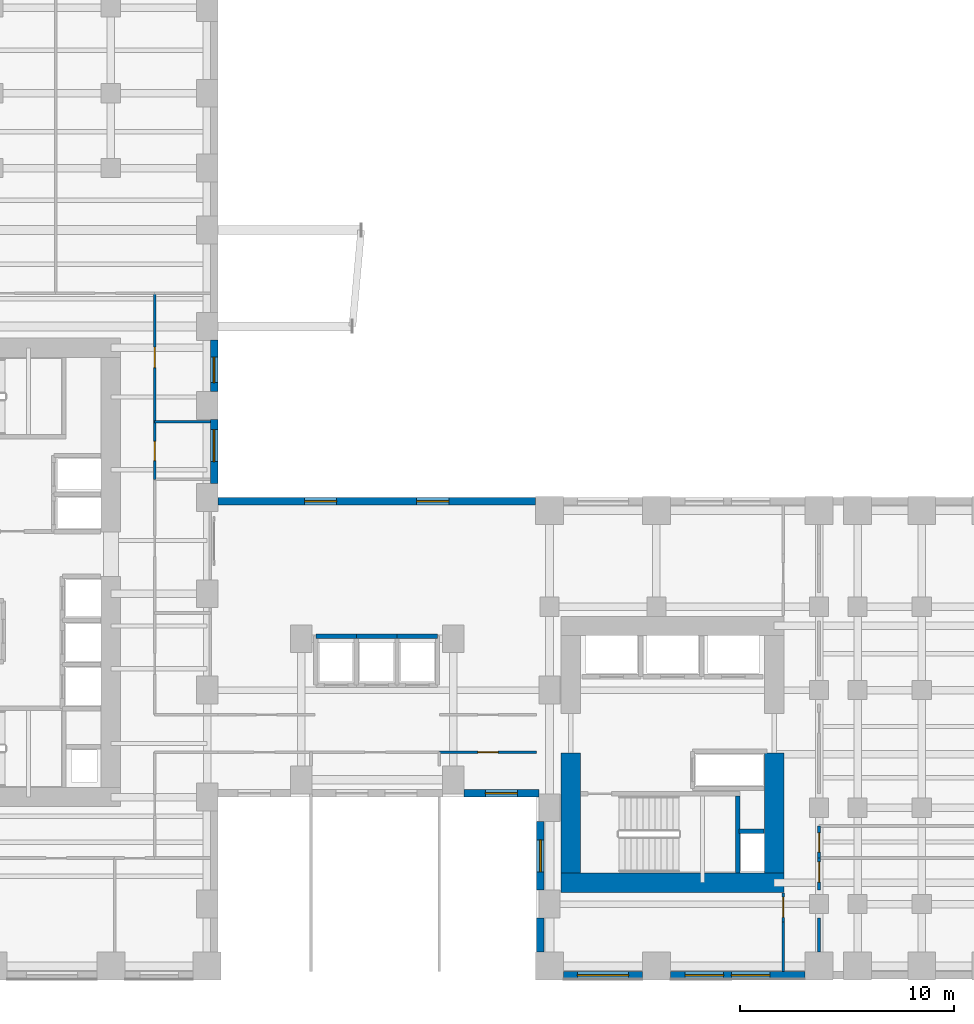
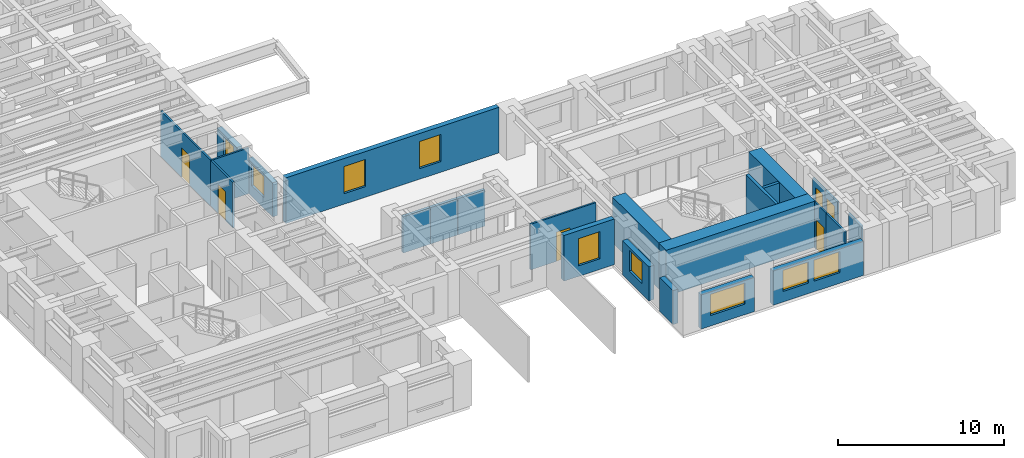
# One storey, part 9 of 14: 25 walls, 9 windows, 6 doors, 15 openings.
"""IFC4 building model written with IfcOpenShell, lengths in metres."""

import ifcopenshell
import ifcopenshell.guid

model = None  # the IFC model being written
_history = None  # IfcOwnerHistory: only IFC2X3 demands one
_inside = {}  # id of a spatial element -> (the spatial element, [elements in it])
_under = {}  # id of a project, library or spatial element -> (it, [spatial elements below it])
_declared = {}  # id of a project -> (the project, [libraries it declares])
_typed = {}  # id of a type object -> (the type object, [elements of that type])
_made_of = {}  # id of a material, layer set ... -> (it, [elements and type objects made of it])


def new_model(schema):
    """Start an empty IFC model of exactly this schema.

    Asked for "IFC4X3", IfcOpenShell would pick the latest addendum, in which some entities
    have other attributes; the version numbers below select the first issue.
    IFC2X3 requires an IfcOwnerHistory on every rooted entity: one is made here for all.
    """
    global model, _history
    if schema == "IFC4X3":
        model = ifcopenshell.file(schema_version=(4, 3, 0, 0))
    else:
        model = ifcopenshell.file(schema=schema)
    _inside.clear()
    _under.clear()
    _declared.clear()
    _typed.clear()
    _made_of.clear()
    _history = None
    if model.schema == "IFC2X3":
        org = make("IfcOrganization", Name="unknown")
        user = make(
            "IfcPersonAndOrganization",
            ThePerson=make("IfcPerson", FamilyName="unknown"),
            TheOrganization=org,
        )
        app = make(
            "IfcApplication",
            ApplicationDeveloper=org,
            Version="unknown",
            ApplicationFullName="unknown",
            ApplicationIdentifier="unknown",
        )
        _history = make(
            "IfcOwnerHistory",
            OwningUser=user,
            OwningApplication=app,
            ChangeAction="ADDED",
            CreationDate=0,
        )
    return model


def make(cls, **values):
    """One entity of the class cls with the attributes given. An attribute that is None is left unset."""
    return model.create_entity(
        cls, **{name: value for name, value in values.items() if value is not None}
    )


def rooted(cls, **values):
    """An entity with a GlobalId (a new one), such as an element, a storey or a relation."""
    return make(cls, GlobalId=ifcopenshell.guid.new(), OwnerHistory=_history, **values)


def si_unit(unit_type, name, prefix=None):
    """IfcSIUnit, for example si_unit("LENGTHUNIT", "METRE", prefix="MILLI")."""
    return make("IfcSIUnit", UnitType=unit_type, Prefix=prefix, Name=name)


def assignment(units):
    """IfcUnitAssignment: the units of a project."""
    return None if units is None else make("IfcUnitAssignment", Units=units)


def point(xyz):
    """IfcCartesianPoint."""
    return None if xyz is None else make("IfcCartesianPoint", Coordinates=xyz)


def direction(xyz):
    """IfcDirection."""
    return None if xyz is None else make("IfcDirection", DirectionRatios=xyz)


def frame(location, z_axis=None, x_axis=None):
    """IfcAxis2Placement3D, a coordinate frame: its origin and axes. An axis left out is left unset."""
    return make(
        "IfcAxis2Placement3D",
        Location=point(location),
        Axis=direction(z_axis),
        RefDirection=direction(x_axis),
    )


def frame_2d(location, x_axis=None):
    """IfcAxis2Placement2D, a coordinate frame in the plane: its origin and x axis."""
    return make(
        "IfcAxis2Placement2D", Location=point(location), RefDirection=direction(x_axis)
    )


def origin():
    """The frame at (0, 0, 0) with its axes left unset."""
    return frame((0.0, 0.0, 0.0))


def place(relative_to, where):
    """IfcLocalPlacement: puts the frame where relative to a parent placement (None: the world)."""
    return make(
        "IfcLocalPlacement", PlacementRelTo=relative_to, RelativePlacement=where
    )


def context(
    kind, dimensions, precision=None, world=None, true_north=None, identifier=None
):
    """IfcGeometricRepresentationContext, for example the 3D "Model" context."""
    return make(
        "IfcGeometricRepresentationContext",
        ContextIdentifier=identifier,
        ContextType=kind,
        CoordinateSpaceDimension=dimensions,
        Precision=precision,
        WorldCoordinateSystem=world,
        TrueNorth=true_north,
    )


def subcontext(parent, identifier, kind, view, scale=None):
    """IfcGeometricRepresentationSubContext, for example "Body" below "Model"."""
    return make(
        "IfcGeometricRepresentationSubContext",
        ContextIdentifier=identifier,
        ContextType=kind,
        ParentContext=parent,
        TargetScale=scale,
        TargetView=view,
    )


def project(units=None, contexts=None):
    """IfcProject with its units and contexts."""
    return rooted(
        "IfcProject",
        Name="project",
        RepresentationContexts=contexts,
        UnitsInContext=assignment(units),
    )


def spatial(cls, under=None, at=None, **own):
    """A site, building, storey or space (cls), placed at a placement, below another one or the project."""
    s = rooted(cls, ObjectPlacement=at, **own)
    if under is not None:
        _under.setdefault(under.id(), (under, []))[1].append(s)
    return s


def profile(cls, at=None, kind="AREA", **sizes):
    """A parametric profile (cls). Its sizes go by their IFC names, for example OverallWidth=200.0."""
    return make(cls, ProfileType=kind, Position=at, **sizes)


def rectangle(**sizes):
    """IfcRectangleProfileDef."""
    return profile("IfcRectangleProfileDef", **sizes)


def extrude(swept, where, along, depth):
    """IfcExtrudedAreaSolid: the profile swept, set in the frame where, extruded along a direction by depth."""
    return make(
        "IfcExtrudedAreaSolid",
        SweptArea=swept,
        Position=where,
        ExtrudedDirection=direction(along),
        Depth=depth,
    )


def shape(context_of_items, identifier, shape_type, items):
    """IfcShapeRepresentation: the items that make up one representation, for example the "Body"."""
    return make(
        "IfcShapeRepresentation",
        ContextOfItems=context_of_items,
        RepresentationIdentifier=identifier,
        RepresentationType=shape_type,
        Items=items,
    )


def source(mapping_origin, context_of_items, identifier, shape_type, items):
    """IfcRepresentationMap: a shape defined once, which mapped items show again and again."""
    return make(
        "IfcRepresentationMap",
        MappingOrigin=mapping_origin,
        MappedRepresentation=shape(context_of_items, identifier, shape_type, items),
    )


def transform(
    local_origin,
    x_axis=None,
    y_axis=None,
    z_axis=None,
    scale=None,
    scale2=None,
    scale3=None,
    uniform=True,
):
    """IfcCartesianTransformationOperator3D, or its non-uniform kind. x_axis, y_axis, z_axis: its Axis1, 2, 3."""
    if uniform:
        return make(
            "IfcCartesianTransformationOperator3D",
            Axis1=direction(x_axis),
            Axis2=direction(y_axis),
            LocalOrigin=point(local_origin),
            Scale=scale,
            Axis3=direction(z_axis),
        )
    return make(
        "IfcCartesianTransformationOperator3DnonUniform",
        Axis1=direction(x_axis),
        Axis2=direction(y_axis),
        LocalOrigin=point(local_origin),
        Scale=scale,
        Axis3=direction(z_axis),
        Scale2=scale2,
        Scale3=scale3,
    )


def mapped(mapping_source, mapping_target):
    """IfcMappedItem: shows the shape of a source again, moved by a transform."""
    return make(
        "IfcMappedItem", MappingSource=mapping_source, MappingTarget=mapping_target
    )


def material(Name=None, Category=None):
    """IfcMaterial."""
    return make("IfcMaterial", Name=Name, Category=Category)


def layer(
    of_material, thickness, ventilated=None, Name=None, Category=None, Priority=None
):
    """IfcMaterialLayer: one layer of a wall or slab, of a material (None: an air gap)."""
    return make(
        "IfcMaterialLayer",
        Material=of_material,
        LayerThickness=thickness,
        IsVentilated=ventilated,
        Name=Name,
        Category=Category,
        Priority=Priority,
    )


def layer_set(layers, Name=None):
    """IfcMaterialLayerSet."""
    return make("IfcMaterialLayerSet", MaterialLayers=layers, LayerSetName=Name)


def made_of(thing, what):
    """Note that an element or type object is made of a material, layer set ...; save() writes the relation."""
    if what is not None:
        _made_of.setdefault(what.id(), (what, []))[1].append(thing)
    return thing


def type_object(cls, material=None, **own):
    """A type object (cls), such as IfcWallType, which elements share."""
    return made_of(rooted(cls, **own), material)


def element(
    cls,
    number,
    at=None,
    inside=None,
    cuts=None,
    type_object=None,
    material=None,
    context=None,
    identifier="Body",
    shape_type=None,
    held_by="IfcProductDefinitionShape",
    body=None,
    shapes=None,
    **own,
):
    """One element of the class cls, such as IfcWall. Its Tag is "e" and its number.

    at: its placement. inside: the storey or other place that contains it. cuts: it is an
    opening in that element (IfcRelVoidsElement). A single representation is given by context,
    identifier, shape_type and body (its items); several are given by shapes. held_by: the class
    of the entity that holds the representations. save() writes the other relations.
    """
    e = rooted(cls, Tag="e%d" % number, ObjectPlacement=at, **own)
    if body is not None:
        shapes = [shape(context, identifier, shape_type, body)]
    if shapes is not None:
        e.Representation = make(held_by, Representations=shapes)
    if inside is not None:
        _inside.setdefault(inside.id(), (inside, []))[1].append(e)
    if cuts is not None:
        rooted(
            "IfcRelVoidsElement", RelatingBuildingElement=cuts, RelatedOpeningElement=e
        )
    if type_object is not None:
        _typed.setdefault(type_object.id(), (type_object, []))[1].append(e)
    return made_of(e, material)


def fill(opening, filler):
    """IfcRelFillsElement: the door or window that sits in an opening."""
    return rooted(
        "IfcRelFillsElement",
        RelatingOpeningElement=opening,
        RelatedBuildingElement=filler,
    )


def aggregate(whole, parts):
    """IfcRelAggregates: a whole, such as a stair, and the parts it consists of."""
    return rooted("IfcRelAggregates", RelatingObject=whole, RelatedObjects=parts)


def save(model, path):
    """Write the relations noted so far, then the file.

    IfcRelAggregates (storeys below a building ...), IfcRelContainedInSpatialStructure (elements
    in a storey), IfcRelDefinesByType, IfcRelAssociatesMaterial and IfcRelDeclares: one each for
    every whole, place, type object, material and project.
    """
    for whole, parts in _under.values():
        aggregate(whole, parts)
    for where, things in _inside.values():
        rooted(
            "IfcRelContainedInSpatialStructure",
            RelatedElements=things,
            RelatingStructure=where,
        )
    for kind, things in _typed.values():
        rooted("IfcRelDefinesByType", RelatedObjects=things, RelatingType=kind)
    for what, things in _made_of.values():
        rooted("IfcRelAssociatesMaterial", RelatedObjects=things, RelatingMaterial=what)
    for by, libraries in _declared.values():
        rooted("IfcRelDeclares", RelatingContext=by, RelatedDefinitions=libraries)
    model.write(path)


model = new_model("IFC4")

# Units and contexts
model_context = context("Model", 3, precision=1e-05, world=origin(), true_north=direction((0.0, 1.0)))
body_context = subcontext(model_context, "Body", "Model", "MODEL_VIEW")
ifc_project = project(units=[si_unit("LENGTHUNIT", "METRE"), si_unit("AREAUNIT", "SQUARE_METRE"), si_unit("VOLUMEUNIT", "CUBIC_METRE"), si_unit("PLANEANGLEUNIT", "RADIAN"), si_unit("MASSUNIT", "GRAM", prefix="KILO")], contexts=[model_context])

# Site, building, storey
site_placement = place(None, origin())
site = spatial("IfcSite", under=ifc_project, at=site_placement, CompositionType="ELEMENT")
building_placement = place(site_placement, origin())
building = spatial("IfcBuilding", under=site, at=building_placement, Name="Kharzan Plaza Tower", CompositionType="ELEMENT")
storey_placement = place(building_placement, frame((0.0, 0.0, 36.89990234375)))
storey = spatial("IfcBuildingStorey", under=building, at=storey_placement, Name="L09", CompositionType="ELEMENT", Elevation=36.89990234375)

# Wall, opening, window
ifc_material_1 = material(Name="Concrete C40/50", Category="concrete")
ifc_layer_1 = layer(ifc_material_1, 0.35009765625)
ifc_layer_set_1 = layer_set([ifc_layer_1], Name="Concrete C40/50")
wall_type_1 = type_object("IfcWallType", Name="WL-EXT-MAS-Z1", PredefinedType="SOLIDWALL", material=ifc_layer_set_1)
wall_1_placement = place(storey_placement, frame((30.998046875, 8.675048828125, 0.0), z_axis=(0.0, 0.0, 1.0), x_axis=(1.0, 0.0, 0.0)))
wall_1 = element("IfcWall", 1, at=wall_1_placement, inside=storey, type_object=wall_type_1, Name="L09 Masonry-Frame Exterior Wall 30", PredefinedType="SOLIDWALL", context=body_context, shape_type="SweptSolid", body=[
    extrude(rectangle(XDim=3.50390625, YDim=0.35009765625, at=frame_2d((1.751953125, 0.0))), origin(), (0.0, 0.0, 1.0), 3.364990234375),
])
opening_1_placement = place(wall_1_placement, frame((1.001953125, 0.0, 0.780029296875)))
opening_1 = element("IfcOpeningElement", 2, at=opening_1_placement, cuts=wall_1, Name="Opening W5", PredefinedType="OPENING", context=body_context, shape_type="SweptSolid", body=[
    extrude(rectangle(XDim=1.5, YDim=2.0, at=frame_2d((0.75, 1.0))), frame((0.0, 0.18505859375, 0.0), z_axis=(0.0, -1.0, 0.0), x_axis=(1.0, 0.0, 0.0)), (0.0, 0.0, 1.0), 0.3701171875),
])
ifc_material_2 = material(Name="Low-E Double Glazing", Category="glass")
window_type_1 = type_object("IfcWindowType", Name="WN-SLT-1500x2000", PartitioningType="SINGLE_PANEL", PredefinedType="WINDOW", material=ifc_material_2)
shared_shape_1 = source(origin(), body_context, "Body", "SweptSolid", [
    extrude(rectangle(XDim=1.5, YDim=2.0, at=frame_2d((0.75, 1.0))), frame((0.0, 0.030029296875, 0.0), z_axis=(0.0, -1.0, 0.0), x_axis=(1.0, 0.0, 0.0)), (0.0, 0.0, 1.0), 0.06005859375),
])
window_1_placement = place(opening_1_placement, origin())
window_1 = element("IfcWindow", 3, at=window_1_placement, inside=storey, type_object=window_type_1, Name="L09 Recessed Solar-Control Window 30-1", OverallHeight=2.0, OverallWidth=1.5, PartitioningType="SINGLE_PANEL", PredefinedType="WINDOW", context=body_context, shape_type="MappedRepresentation", body=[
    mapped(shared_shape_1, transform((0.0, 0.0, 0.0), x_axis=(1.0, 0.0, 0.0), y_axis=(0.0, 1.0, 0.0), z_axis=(0.0, 0.0, 1.0))),
])
fill(opening_1, window_1)

wall_2_placement = place(storey_placement, frame((34.574951171875, 7.35205078125, 0.0), z_axis=(0.0, 0.0, 1.0), x_axis=(0.0, -1.0, 0.0)))
wall_2 = element("IfcWall", 4, at=wall_2_placement, inside=storey, type_object=wall_type_1, Name="L09 Masonry-Frame Exterior Wall 31", PredefinedType="SOLIDWALL", context=body_context, shape_type="SweptSolid", body=[
    extrude(rectangle(XDim=3.2041015625, YDim=0.35009765625, at=frame_2d((1.60205078125, 0.0))), origin(), (0.0, 0.0, 1.0), 2.510009765625),
])
opening_2_placement = place(wall_2_placement, frame((0.85205078125, 0.0, 0.780029296875)))
opening_2 = element("IfcOpeningElement", 5, at=opening_2_placement, cuts=wall_2, Name="Opening W5", PredefinedType="OPENING", context=body_context, shape_type="SweptSolid", body=[
    extrude(rectangle(XDim=1.5, YDim=1.550048828125, at=frame_2d((0.75, 0.77490234375))), frame((0.0, 0.18505859375, 0.0), z_axis=(0.0, -1.0, 0.0), x_axis=(1.0, 0.0, 0.0)), (0.0, 0.0, 1.0), 0.3701171875),
])
shared_shape_2 = source(origin(), body_context, "Body", "SweptSolid", [
    extrude(rectangle(XDim=1.5, YDim=1.550048828125, at=frame_2d((0.75, 0.77490234375))), frame((0.0, 0.030029296875, 0.0), z_axis=(0.0, -1.0, 0.0), x_axis=(1.0, 0.0, 0.0)), (0.0, 0.0, 1.0), 0.06005859375),
])
window_2_placement = place(opening_2_placement, origin())
window_2 = element("IfcWindow", 6, at=window_2_placement, inside=storey, type_object=window_type_1, Name="L09 Recessed Solar-Control Window 31-1", OverallHeight=1.550048828125, OverallWidth=1.5, PartitioningType="SINGLE_PANEL", PredefinedType="WINDOW", context=body_context, shape_type="MappedRepresentation", body=[
    mapped(shared_shape_2, transform((0.0, 0.0, 0.0), x_axis=(1.0, 0.0, 0.0), y_axis=(0.0, 1.0, 0.0), z_axis=(0.0, 0.0, 1.0))),
])
fill(opening_2, window_2)

wall_3_placement = place(storey_placement, frame((35.64794921875, 0.175048828125, 0.0), z_axis=(0.0, 0.0, 1.0), x_axis=(1.0, 0.0, 0.0)))
wall_3 = element("IfcWall", 7, at=wall_3_placement, inside=storey, type_object=wall_type_1, Name="L09 Masonry-Frame Exterior Wall 33", PredefinedType="SOLIDWALL", context=body_context, shape_type="SweptSolid", body=[
    extrude(rectangle(XDim=3.7041015625, YDim=0.35009765625, at=frame_2d((1.85205078125, 0.0))), origin(), (0.0, 0.0, 1.0), 2.510009765625),
])
opening_3_placement = place(wall_3_placement, frame((0.652099609375, 0.0, 0.780029296875)))
opening_3 = element("IfcOpeningElement", 8, at=opening_3_placement, cuts=wall_3, Name="Opening W2", PredefinedType="OPENING", context=body_context, shape_type="SweptSolid", body=[
    extrude(rectangle(XDim=2.39990234375, YDim=1.550048828125, at=frame_2d((1.199951171875, 0.77490234375))), frame((0.0, 0.18505859375, 0.0), z_axis=(0.0, -1.0, 0.0), x_axis=(1.0, 0.0, 0.0)), (0.0, 0.0, 1.0), 0.3701171875),
])
window_type_2 = type_object("IfcWindowType", Name="WN-REC-2400x2100", PartitioningType="SINGLE_PANEL", PredefinedType="WINDOW", material=ifc_material_2)
shared_shape_3 = source(origin(), body_context, "Body", "SweptSolid", [
    extrude(rectangle(XDim=2.39990234375, YDim=1.550048828125, at=frame_2d((1.199951171875, 0.77490234375))), frame((0.0, 0.030029296875, 0.0), z_axis=(0.0, -1.0, 0.0), x_axis=(1.0, 0.0, 0.0)), (0.0, 0.0, 1.0), 0.06005859375),
])
window_3_placement = place(opening_3_placement, origin())
window_3 = element("IfcWindow", 9, at=window_3_placement, inside=storey, type_object=window_type_2, Name="L09 Wide Recessed Solar-Control Window 33-1", OverallHeight=1.550048828125, OverallWidth=2.39990234375, PartitioningType="SINGLE_PANEL", PredefinedType="WINDOW", context=body_context, shape_type="MappedRepresentation", body=[
    mapped(shared_shape_3, transform((0.0, 0.0, 0.0), x_axis=(1.0, 0.0, 0.0), y_axis=(0.0, 1.0, 0.0), z_axis=(0.0, 0.0, 1.0))),
])
fill(opening_3, window_3)

# Wall, openings, windows
wall_4_placement = place(storey_placement, frame((40.64794921875, 0.175048828125, 0.0), z_axis=(0.0, 0.0, 1.0), x_axis=(1.0, 0.0, 0.0)))
wall_4 = element("IfcWall", 10, at=wall_4_placement, inside=storey, type_object=wall_type_1, Name="L09 Masonry-Frame Exterior Wall 34", PredefinedType="SOLIDWALL", context=body_context, shape_type="SweptSolid", body=[
    extrude(rectangle(XDim=6.303955078125, YDim=0.35009765625, at=frame_2d((3.15185546875, 0.0))), origin(), (0.0, 0.0, 1.0), 2.510009765625),
])
opening_4_placement = place(wall_4_placement, frame((0.687255859375, 0.0, 0.780029296875)))
opening_4 = element("IfcOpeningElement", 11, at=opening_4_placement, cuts=wall_4, Name="Opening W1", PredefinedType="OPENING", context=body_context, shape_type="SweptSolid", body=[
    extrude(rectangle(XDim=1.800048828125, YDim=1.550048828125, at=frame_2d((0.89990234375, 0.77490234375))), frame((0.0, 0.18505859375, 0.0), z_axis=(0.0, -1.0, 0.0), x_axis=(1.0, 0.0, 0.0)), (0.0, 0.0, 1.0), 0.3701171875),
])
opening_5_placement = place(wall_4_placement, frame((2.854736328125, 0.0, 0.780029296875)))
opening_5 = element("IfcOpeningElement", 12, at=opening_5_placement, cuts=wall_4, Name="Opening W1", PredefinedType="OPENING", context=body_context, shape_type="SweptSolid", body=[
    extrude(rectangle(XDim=1.800048828125, YDim=1.550048828125, at=frame_2d((0.89990234375, 0.77490234375))), frame((0.0, 0.18505859375, 0.0), z_axis=(0.0, -1.0, 0.0), x_axis=(1.0, 0.0, 0.0)), (0.0, 0.0, 1.0), 0.3701171875),
])
window_type_3 = type_object("IfcWindowType", Name="WN-REC-1800x2100", PartitioningType="SINGLE_PANEL", PredefinedType="WINDOW", material=ifc_material_2)
shared_shape_4 = source(origin(), body_context, "Body", "SweptSolid", [
    extrude(rectangle(XDim=1.800048828125, YDim=1.550048828125, at=frame_2d((0.89990234375, 0.77490234375))), frame((0.0, 0.030029296875, 0.0), z_axis=(0.0, -1.0, 0.0), x_axis=(1.0, 0.0, 0.0)), (0.0, 0.0, 1.0), 0.06005859375),
])
window_4_placement = place(opening_4_placement, origin())
window_4 = element("IfcWindow", 13, at=window_4_placement, inside=storey, type_object=window_type_3, Name="L09 Recessed Solar-Control Window 34-1", OverallHeight=1.550048828125, OverallWidth=1.800048828125, PartitioningType="SINGLE_PANEL", PredefinedType="WINDOW", context=body_context, shape_type="MappedRepresentation", body=[
    mapped(shared_shape_4, transform((0.0, 0.0, 0.0), x_axis=(1.0, 0.0, 0.0), y_axis=(0.0, 1.0, 0.0), z_axis=(0.0, 0.0, 1.0))),
])
fill(opening_4, window_4)
window_5_placement = place(opening_5_placement, origin())
window_5 = element("IfcWindow", 14, at=window_5_placement, inside=storey, type_object=window_type_3, Name="L09 Recessed Solar-Control Window 34-2", OverallHeight=1.550048828125, OverallWidth=1.800048828125, PartitioningType="SINGLE_PANEL", PredefinedType="WINDOW", context=body_context, shape_type="MappedRepresentation", body=[
    mapped(shared_shape_4, transform((0.0, 0.0, 0.0), x_axis=(1.0, 0.0, 0.0), y_axis=(0.0, 1.0, 0.0), z_axis=(0.0, 0.0, 1.0))),
])
fill(opening_5, window_5)

wall_5_placement = place(storey_placement, frame((34.35205078125, 22.324951171875, 0.0), z_axis=(0.0, 0.0, 1.0), x_axis=(-1.0, 0.0, 0.0)))
wall_5 = element("IfcWall", 15, at=wall_5_placement, inside=storey, type_object=wall_type_1, Name="L09 Masonry-Frame Exterior Wall 53", PredefinedType="SOLIDWALL", context=body_context, shape_type="SweptSolid", body=[
    extrude(rectangle(XDim=14.85400390625, YDim=0.35009765625, at=frame_2d((7.427001953125, 0.0))), origin(), (0.0, 0.0, 1.0), 3.364990234375),
])
opening_6_placement = place(wall_5_placement, frame((4.05810546875, 0.0, 0.780029296875)))
opening_6 = element("IfcOpeningElement", 16, at=opening_6_placement, cuts=wall_5, Name="Opening W5", PredefinedType="OPENING", context=body_context, shape_type="SweptSolid", body=[
    extrude(rectangle(XDim=1.5, YDim=2.0, at=frame_2d((0.75, 1.0))), frame((0.0, 0.18505859375, 0.0), z_axis=(0.0, -1.0, 0.0), x_axis=(1.0, 0.0, 0.0)), (0.0, 0.0, 1.0), 0.3701171875),
])
opening_7_placement = place(wall_5_placement, frame((9.2958984375, 0.0, 0.780029296875)))
opening_7 = element("IfcOpeningElement", 17, at=opening_7_placement, cuts=wall_5, Name="Opening W5", PredefinedType="OPENING", context=body_context, shape_type="SweptSolid", body=[
    extrude(rectangle(XDim=1.5, YDim=2.0, at=frame_2d((0.75, 1.0))), frame((0.0, 0.18505859375, 0.0), z_axis=(0.0, -1.0, 0.0), x_axis=(1.0, 0.0, 0.0)), (0.0, 0.0, 1.0), 0.3701171875),
])
window_6_placement = place(opening_6_placement, origin())
window_6 = element("IfcWindow", 18, at=window_6_placement, inside=storey, type_object=window_type_1, Name="L09 Recessed Solar-Control Window 53-1", OverallHeight=2.0, OverallWidth=1.5, PartitioningType="SINGLE_PANEL", PredefinedType="WINDOW", context=body_context, shape_type="MappedRepresentation", body=[
    mapped(shared_shape_1, transform((0.0, 0.0, 0.0), x_axis=(1.0, 0.0, 0.0), y_axis=(0.0, 1.0, 0.0), z_axis=(0.0, 0.0, 1.0))),
])
fill(opening_6, window_6)
window_7_placement = place(opening_7_placement, origin())
window_7 = element("IfcWindow", 19, at=window_7_placement, inside=storey, type_object=window_type_1, Name="L09 Recessed Solar-Control Window 53-2", OverallHeight=2.0, OverallWidth=1.5, PartitioningType="SINGLE_PANEL", PredefinedType="WINDOW", context=body_context, shape_type="MappedRepresentation", body=[
    mapped(shared_shape_1, transform((0.0, 0.0, 0.0), x_axis=(1.0, 0.0, 0.0), y_axis=(0.0, 1.0, 0.0), z_axis=(0.0, 0.0, 1.0))),
])
fill(opening_7, window_7)

# Wall, opening, window
wall_6_placement = place(storey_placement, frame((19.324951171875, 23.14794921875, 0.0), z_axis=(0.0, 0.0, 1.0), x_axis=(0.0, 1.0, 0.0)))
wall_6 = element("IfcWall", 20, at=wall_6_placement, inside=storey, type_object=wall_type_1, Name="L09 Masonry-Frame Exterior Wall 54", PredefinedType="SOLIDWALL", context=body_context, shape_type="SweptSolid", body=[
    extrude(rectangle(XDim=3.004150390625, YDim=0.35009765625, at=frame_2d((1.501953125, 0.0))), origin(), (0.0, 0.0, 1.0), 2.510009765625),
])
opening_8_placement = place(wall_6_placement, frame((1.030517578125, 0.0, 0.780029296875)))
opening_8 = element("IfcOpeningElement", 21, at=opening_8_placement, cuts=wall_6, Name="Opening W5", PredefinedType="OPENING", context=body_context, shape_type="SweptSolid", body=[
    extrude(rectangle(XDim=1.5, YDim=1.550048828125, at=frame_2d((0.75, 0.77490234375))), frame((0.0, 0.18505859375, 0.0), z_axis=(0.0, -1.0, 0.0), x_axis=(1.0, 0.0, 0.0)), (0.0, 0.0, 1.0), 0.3701171875),
])
window_8_placement = place(opening_8_placement, origin())
window_8 = element("IfcWindow", 22, at=window_8_placement, inside=storey, type_object=window_type_1, Name="L09 Recessed Solar-Control Window 54-1", OverallHeight=1.550048828125, OverallWidth=1.5, PartitioningType="SINGLE_PANEL", PredefinedType="WINDOW", context=body_context, shape_type="MappedRepresentation", body=[
    mapped(shared_shape_2, transform((0.0, 0.0, 0.0), x_axis=(1.0, 0.0, 0.0), y_axis=(0.0, 1.0, 0.0), z_axis=(0.0, 0.0, 1.0))),
])
fill(opening_8, window_8)

wall_7_placement = place(storey_placement, frame((19.324951171875, 27.447998046875, 0.0), z_axis=(0.0, 0.0, 1.0), x_axis=(0.0, 1.0, 0.0)))
wall_7 = element("IfcWall", 23, at=wall_7_placement, inside=storey, type_object=wall_type_1, Name="L09 Masonry-Frame Exterior Wall 55", PredefinedType="SOLIDWALL", context=body_context, shape_type="SweptSolid", body=[
    extrude(rectangle(XDim=2.404052734375, YDim=0.35009765625, at=frame_2d((1.2021484375, 0.0))), origin(), (0.0, 0.0, 1.0), 2.510009765625),
])
opening_9_placement = place(wall_7_placement, frame((0.417236328125, 0.0, 0.780029296875)))
opening_9 = element("IfcOpeningElement", 24, at=opening_9_placement, cuts=wall_7, Name="Opening W3", PredefinedType="OPENING", context=body_context, shape_type="SweptSolid", body=[
    extrude(rectangle(XDim=1.199951171875, YDim=1.550048828125, at=frame_2d((0.60009765625, 0.77490234375))), frame((0.0, 0.18505859375, 0.0), z_axis=(0.0, -1.0, 0.0), x_axis=(1.0, 0.0, 0.0)), (0.0, 0.0, 1.0), 0.3701171875),
])
window_type_4 = type_object("IfcWindowType", Name="WN-REC-1200x2100", PartitioningType="SINGLE_PANEL", PredefinedType="WINDOW", material=ifc_material_2)
shared_shape_5 = source(origin(), body_context, "Body", "SweptSolid", [
    extrude(rectangle(XDim=1.199951171875, YDim=1.550048828125, at=frame_2d((0.60009765625, 0.77490234375))), frame((0.0, 0.030029296875, 0.0), z_axis=(0.0, -1.0, 0.0), x_axis=(1.0, 0.0, 0.0)), (0.0, 0.0, 1.0), 0.06005859375),
])
window_9_placement = place(opening_9_placement, origin())
window_9 = element("IfcWindow", 25, at=window_9_placement, inside=storey, type_object=window_type_4, Name="L09 Recessed Solar-Control Window 55-1", OverallHeight=1.550048828125, OverallWidth=1.199951171875, PartitioningType="SINGLE_PANEL", PredefinedType="WINDOW", context=body_context, shape_type="MappedRepresentation", body=[
    mapped(shared_shape_5, transform((0.0, 0.0, 0.0), x_axis=(1.0, 0.0, 0.0), y_axis=(0.0, 1.0, 0.0), z_axis=(0.0, 0.0, 1.0))),
])
fill(opening_9, window_9)

# Wall, opening, door
ifc_material_3 = material(Name="Fire-Rated Gypsum Board Partition", Category="gypsum")
ifc_layer_2 = layer(ifc_material_3, 0.125)
ifc_layer_set_2 = layer_set([ifc_layer_2], Name="Fire-Rated Gypsum Board Partition")
wall_type_2 = type_object("IfcWallType", Name="WL-INT-PART-125", PredefinedType="PARTITIONING", material=ifc_layer_set_2)
wall_8_placement = place(storey_placement, frame((16.550048828125, 26.050048828125, 0.0), z_axis=(0.0, 0.0, 1.0), x_axis=(0.0, 1.0, 0.0)))
wall_8 = element("IfcWall", 26, at=wall_8_placement, inside=storey, type_object=wall_type_2, Name="L09 Interior Partition SH-AEWN3", PredefinedType="PARTITIONING", context=body_context, shape_type="SweptSolid", body=[
    extrude(rectangle(XDim=6.0, YDim=0.125, at=frame_2d((3.0, 0.0))), origin(), (0.0, 0.0, 1.0), 3.364990234375),
])
opening_10_placement = place(wall_8_placement, frame((2.52490234375, 0.0, 0.0)))
opening_10 = element("IfcOpeningElement", 27, at=opening_10_placement, cuts=wall_8, Name="Opening OD1", PredefinedType="OPENING", context=body_context, shape_type="SweptSolid", body=[
    extrude(rectangle(XDim=0.949951171875, YDim=2.14990234375, at=frame_2d((0.47509765625, 1.074951171875))), frame((0.0, 0.072509765625, 0.0), z_axis=(0.0, -1.0, 0.0), x_axis=(1.0, 0.0, 0.0)), (0.0, 0.0, 1.0), 0.14501953125),
])
ifc_material_4 = material(Name="Acoustic Solid-Core Stained Oak", Category="timber")
door_type_1 = type_object("IfcDoorType", Name="DR-OFF-SINGLE", OperationType="NOTDEFINED", PredefinedType="DOOR", material=ifc_material_4)
shared_shape_6 = source(origin(), body_context, "Body", "SweptSolid", [
    extrude(rectangle(XDim=0.949951171875, YDim=2.14990234375, at=frame_2d((0.47509765625, 1.074951171875))), frame((0.0, 0.02490234375, 0.0), z_axis=(0.0, -1.0, 0.0), x_axis=(1.0, 0.0, 0.0)), (0.0, 0.0, 1.0), 0.050048828125),
])
door_1_placement = place(opening_10_placement, origin())
door_1 = element("IfcDoor", 28, at=door_1_placement, inside=storey, type_object=door_type_1, Name="L09 Staff Tea Point Door", OperationType="SINGLE_SWING_RIGHT", OverallHeight=2.14990234375, OverallWidth=0.949951171875, PredefinedType="DOOR", context=body_context, shape_type="MappedRepresentation", body=[
    mapped(shared_shape_6, transform((0.0, 0.0, 0.0), x_axis=(1.0, 0.0, 0.0), y_axis=(0.0, 1.0, 0.0), z_axis=(0.0, 0.0, 1.0))),
])
fill(opening_10, door_1)

wall_9_placement = place(storey_placement, frame((16.550048828125, 23.35009765625, 0.0), z_axis=(0.0, 0.0, 1.0), x_axis=(0.0, 1.0, 0.0)))
wall_9 = element("IfcWall", 29, at=wall_9_placement, inside=storey, type_object=wall_type_2, Name="L09 Interior Partition SH-AEWW", PredefinedType="PARTITIONING", context=body_context, shape_type="SweptSolid", body=[
    extrude(rectangle(XDim=2.699951171875, YDim=0.125, at=frame_2d((1.35009765625, 0.0))), origin(), (0.0, 0.0, 1.0), 3.364990234375),
])
opening_11_placement = place(wall_9_placement, frame((0.875, 0.0, 0.0)))
opening_11 = element("IfcOpeningElement", 30, at=opening_11_placement, cuts=wall_9, Name="Opening WD1", PredefinedType="OPENING", context=body_context, shape_type="SweptSolid", body=[
    extrude(rectangle(XDim=0.89990234375, YDim=2.14990234375, at=frame_2d((0.449951171875, 1.074951171875))), frame((0.0, 0.072509765625, 0.0), z_axis=(0.0, -1.0, 0.0), x_axis=(1.0, 0.0, 0.0)), (0.0, 0.0, 1.0), 0.14501953125),
])
ifc_material_5 = material(Name="Moisture-Resistant Fire-Rated Laminate", Category="timber")
door_type_2 = type_object("IfcDoorType", Name="DR-WC-900", OperationType="NOTDEFINED", PredefinedType="DOOR", material=ifc_material_5)
shared_shape_7 = source(origin(), body_context, "Body", "SweptSolid", [
    extrude(rectangle(XDim=0.89990234375, YDim=2.14990234375, at=frame_2d((0.449951171875, 1.074951171875))), frame((0.0, 0.02490234375, 0.0), z_axis=(0.0, -1.0, 0.0), x_axis=(1.0, 0.0, 0.0)), (0.0, 0.0, 1.0), 0.050048828125),
])
door_2_placement = place(opening_11_placement, origin())
door_2 = element("IfcDoor", 31, at=door_2_placement, inside=storey, type_object=door_type_2, Name="L09 Wing A Washroom Door", OperationType="SINGLE_SWING_LEFT", OverallHeight=2.14990234375, OverallWidth=0.89990234375, PredefinedType="DOOR", context=body_context, shape_type="MappedRepresentation", body=[
    mapped(shared_shape_7, transform((0.0, 0.0, 0.0), x_axis=(1.0, 0.0, 0.0), y_axis=(0.0, 1.0, 0.0), z_axis=(0.0, 0.0, 1.0))),
])
fill(opening_11, door_2)

wall_10_placement = place(storey_placement, frame((47.60009765625, 4.159912109375, 0.0), z_axis=(0.0, 0.0, 1.0), x_axis=(0.0, 1.0, 0.0)))
wall_10 = element("IfcWall", 32, at=wall_10_placement, inside=storey, type_object=wall_type_2, Name="L09 Interior Partition SH-B0W0", PredefinedType="PARTITIONING", context=body_context, shape_type="SweptSolid", body=[
    extrude(rectangle(XDim=1.489990234375, YDim=0.125, at=frame_2d((0.7451171875, 0.0))), origin(), (0.0, 0.0, 1.0), 2.670166015625),
])
opening_12_placement = place(wall_10_placement, frame((0.360107421875, 0.0, 0.0)))
opening_12 = element("IfcOpeningElement", 33, at=opening_12_placement, cuts=wall_10, Name="Opening OD1", PredefinedType="OPENING", context=body_context, shape_type="SweptSolid", body=[
    extrude(rectangle(XDim=0.949951171875, YDim=2.14990234375, at=frame_2d((0.47509765625, 1.074951171875))), frame((0.0, 0.072509765625, 0.0), z_axis=(0.0, -1.0, 0.0), x_axis=(1.0, 0.0, 0.0)), (0.0, 0.0, 1.0), 0.14501953125),
])
door_3_placement = place(opening_12_placement, origin())
door_3 = element("IfcDoor", 34, at=door_3_placement, inside=storey, type_object=door_type_1, Name="L09 Wing B South Office Door", OperationType="SINGLE_SWING_RIGHT", OverallHeight=2.14990234375, OverallWidth=0.949951171875, PredefinedType="DOOR", context=body_context, shape_type="MappedRepresentation", body=[
    mapped(shared_shape_6, transform((0.0, 0.0, 0.0), x_axis=(1.0, 0.0, 0.0), y_axis=(0.0, 1.0, 0.0), z_axis=(0.0, 0.0, 1.0))),
])
fill(opening_12, door_3)

wall_11_placement = place(storey_placement, frame((47.60009765625, 5.64990234375, 0.0), z_axis=(0.0, 0.0, 1.0), x_axis=(0.0, 1.0, 0.0)))
wall_11 = element("IfcWall", 35, at=wall_11_placement, inside=storey, type_object=wall_type_2, Name="L09 Interior Partition SH-B0WC", PredefinedType="PARTITIONING", context=body_context, shape_type="SweptSolid", body=[
    extrude(rectangle(XDim=1.5, YDim=0.125, at=frame_2d((0.75, 0.0))), origin(), (0.0, 0.0, 1.0), 2.670166015625),
])
opening_13_placement = place(wall_11_placement, frame((0.27490234375, 0.0, 0.0)))
opening_13 = element("IfcOpeningElement", 36, at=opening_13_placement, cuts=wall_11, Name="Opening WD1", PredefinedType="OPENING", context=body_context, shape_type="SweptSolid", body=[
    extrude(rectangle(XDim=0.89990234375, YDim=2.14990234375, at=frame_2d((0.449951171875, 1.074951171875))), frame((0.0, 0.072509765625, 0.0), z_axis=(0.0, -1.0, 0.0), x_axis=(1.0, 0.0, 0.0)), (0.0, 0.0, 1.0), 0.14501953125),
])
door_4_placement = place(opening_13_placement, origin())
door_4 = element("IfcDoor", 37, at=door_4_placement, inside=storey, type_object=door_type_2, Name="L09 Wing B Washroom Door", OperationType="SINGLE_SWING_LEFT", OverallHeight=2.14990234375, OverallWidth=0.89990234375, PredefinedType="DOOR", context=body_context, shape_type="MappedRepresentation", body=[
    mapped(shared_shape_7, transform((0.0, 0.0, 0.0), x_axis=(1.0, 0.0, 0.0), y_axis=(0.0, 1.0, 0.0), z_axis=(0.0, 0.0, 1.0))),
])
fill(opening_13, door_4)

wall_12_placement = place(storey_placement, frame((45.919921875, 2.64990234375, 0.0), z_axis=(0.0, 0.0, 1.0), x_axis=(0.0, 1.0, 0.0)))
wall_12 = element("IfcWall", 38, at=wall_12_placement, inside=storey, type_object=wall_type_2, Name="L09 Interior Partition SH-RBSE", PredefinedType="PARTITIONING", context=body_context, shape_type="SweptSolid", body=[
    extrude(rectangle(XDim=1.3701171875, YDim=0.125, at=frame_2d((0.68505859375, 0.0))), origin(), (0.0, 0.0, 1.0), 3.364990234375),
])
opening_14_placement = place(wall_12_placement, frame((0.22509765625, 0.0, 0.0)))
opening_14 = element("IfcOpeningElement", 39, at=opening_14_placement, cuts=wall_12, Name="Opening OD1", PredefinedType="OPENING", context=body_context, shape_type="SweptSolid", body=[
    extrude(rectangle(XDim=0.949951171875, YDim=2.14990234375, at=frame_2d((0.47509765625, 1.074951171875))), frame((0.0, 0.072509765625, 0.0), z_axis=(0.0, -1.0, 0.0), x_axis=(1.0, 0.0, 0.0)), (0.0, 0.0, 1.0), 0.14501953125),
])
door_5_placement = place(opening_14_placement, origin())
door_5 = element("IfcDoor", 40, at=door_5_placement, inside=storey, type_object=door_type_1, Name="L09 South-East Corner Office Door", OperationType="SINGLE_SWING_RIGHT", OverallHeight=2.14990234375, OverallWidth=0.949951171875, PredefinedType="DOOR", context=body_context, shape_type="MappedRepresentation", body=[
    mapped(shared_shape_6, transform((0.0, 0.0, 0.0), x_axis=(1.0, 0.0, 0.0), y_axis=(0.0, 1.0, 0.0), z_axis=(0.0, 0.0, 1.0))),
])
fill(opening_14, door_5)

wall_13_placement = place(storey_placement, frame((29.85009765625, 10.60009765625, 0.0), z_axis=(0.0, 0.0, 1.0), x_axis=(1.0, 0.0, 0.0)))
wall_13 = element("IfcWall", 41, at=wall_13_placement, inside=storey, type_object=wall_type_2, Name="L09 Interior Partition SH-SPS3", PredefinedType="PARTITIONING", context=body_context, shape_type="SweptSolid", body=[
    extrude(rectangle(XDim=4.5498046875, YDim=0.125, at=frame_2d((2.27490234375, 0.0))), origin(), (0.0, 0.0, 1.0), 3.364990234375),
])
opening_15_placement = place(wall_13_placement, frame((1.800048828125, 0.0, 0.0)))
opening_15 = element("IfcOpeningElement", 42, at=opening_15_placement, cuts=wall_13, Name="Opening OD1", PredefinedType="OPENING", context=body_context, shape_type="SweptSolid", body=[
    extrude(rectangle(XDim=0.949951171875, YDim=2.14990234375, at=frame_2d((0.47509765625, 1.074951171875))), frame((0.0, 0.072509765625, 0.0), z_axis=(0.0, -1.0, 0.0), x_axis=(1.0, 0.0, 0.0)), (0.0, 0.0, 1.0), 0.14501953125),
])
door_6_placement = place(opening_15_placement, origin())
door_6 = element("IfcDoor", 43, at=door_6_placement, inside=storey, type_object=door_type_1, Name="L09 Spine Studio 3 Door", OperationType="SINGLE_SWING_LEFT", OverallHeight=2.14990234375, OverallWidth=0.949951171875, PredefinedType="DOOR", context=body_context, shape_type="MappedRepresentation", body=[
    mapped(shared_shape_6, transform((0.0, 0.0, 0.0), x_axis=(1.0, 0.0, 0.0), y_axis=(0.0, 1.0, 0.0), z_axis=(0.0, 0.0, 1.0))),
])
fill(opening_15, door_6)

# Walls
shared_shape_8 = source(origin(), body_context, "Body", "SweptSolid", [
    extrude(rectangle(XDim=1.60400390625, YDim=0.35009765625, at=frame_2d((0.802001953125, 0.0))), origin(), (0.0, 0.0, 1.0), 2.510009765625),
])
wall_14_placement = place(storey_placement, frame((34.574951171875, 2.85205078125, 0.0), z_axis=(0.0, 0.0, 1.0), x_axis=(0.0, -1.0, 0.0)))
element("IfcWall", 44, at=wall_14_placement, inside=storey, type_object=wall_type_1, Name="L09 Masonry-Frame Exterior Wall 32", PredefinedType="SOLIDWALL", context=body_context, shape_type="MappedRepresentation", body=[
    mapped(shared_shape_8, transform((0.0, 0.0, 0.0), x_axis=(1.0, 0.0, 0.0), y_axis=(0.0, 1.0, 0.0), z_axis=(0.0, 0.0, 1.0))),
])
shared_shape_9 = source(origin(), body_context, "Body", "SweptSolid", [
    extrude(rectangle(XDim=2.597900390625, YDim=0.125, at=frame_2d((1.298828125, 0.0))), origin(), (0.0, 0.0, 1.0), 3.364990234375),
])
wall_15_placement = place(storey_placement, frame((16.550048828125, 26.050048828125, 0.0), z_axis=(0.0, 0.0, 1.0), x_axis=(1.0, 0.0, 0.0)))
element("IfcWall", 45, at=wall_15_placement, inside=storey, type_object=wall_type_2, Name="L09 Interior Partition SH-AEH-260", PredefinedType="PARTITIONING", context=body_context, shape_type="MappedRepresentation", body=[
    mapped(shared_shape_9, transform((0.0, 0.0, 0.0), x_axis=(1.0, 0.0, 0.0), y_axis=(0.0, 1.0, 0.0), z_axis=(0.0, 0.0, 1.0))),
])
shared_shape_10 = source(origin(), body_context, "Body", "SweptSolid", [
    extrude(rectangle(XDim=2.2978515625, YDim=0.125, at=frame_2d((1.14892578125, 0.0))), origin(), (0.0, 0.0, 1.0), 3.364990234375),
])
wall_16_placement = place(storey_placement, frame((45.919921875, 0.35205078125, 0.0), z_axis=(0.0, 0.0, 1.0), x_axis=(0.0, 1.0, 0.0)))
element("IfcWall", 46, at=wall_16_placement, inside=storey, type_object=wall_type_2, Name="L09 Interior Partition SH-RBSE0", PredefinedType="PARTITIONING", context=body_context, shape_type="MappedRepresentation", body=[
    mapped(shared_shape_10, transform((0.0, 0.0, 0.0), x_axis=(1.0, 0.0, 0.0), y_axis=(0.0, 1.0, 0.0), z_axis=(0.0, 0.0, 1.0))),
])
ifc_layer_3 = layer(ifc_material_1, 0.199951171875)
ifc_layer_set_3 = layer_set([ifc_layer_3], Name="Concrete C40/50")
wall_type_3 = type_object("IfcWallType", Name="WL-INT-SHAFT-200", PredefinedType="PARTITIONING", material=ifc_layer_set_3)
shared_shape_11 = source(origin(), body_context, "Body", "SweptSolid", [
    extrude(rectangle(XDim=1.169921875, YDim=0.199951171875, at=frame_2d((0.5849609375, 0.0))), origin(), (0.0, 0.0, 1.0), 3.364990234375),
])
wall_17_placement = place(storey_placement, frame((43.85009765625, 6.89990234375, 0.0), z_axis=(0.0, 0.0, 1.0), x_axis=(1.0, 0.0, 0.0)))
element("IfcWall", 47, at=wall_17_placement, inside=storey, type_object=wall_type_3, Name="L09 Interior Partition CB-RSRB-N", PredefinedType="PARTITIONING", context=body_context, shape_type="MappedRepresentation", body=[
    mapped(shared_shape_11, transform((0.0, 0.0, 0.0), x_axis=(1.0, 0.0, 0.0), y_axis=(0.0, 1.0, 0.0), z_axis=(0.0, 0.0, 1.0))),
])
ifc_material_6 = material(Name="Concrete C60/75", Category="concrete")
ifc_layer_4 = layer(ifc_material_6, 0.89990234375)
ifc_layer_set_4 = layer_set([ifc_layer_4], Name="Concrete C60/75")
wall_type_4 = type_object("IfcWallType", Name="WL-CORE-900", PredefinedType="SHEAR", material=ifc_layer_set_4)
shared_shape_12 = source(origin(), body_context, "Body", "SweptSolid", [
    extrude(rectangle(XDim=5.60009765625, YDim=0.89990234375, at=frame_2d((2.800048828125, 0.0))), origin(), (0.0, 0.0, 1.0), 3.380126953125),
])
for number, where, z_axis, x_axis, name in (
    (48, (45.5, 4.949951171875, 0.0), (0.0, 0.0, 1.0), (0.0, 1.0, 0.0), "L09 CORE-B east shear pier 1"),
    (49, (36.0, 4.949951171875, 0.0), (0.0, 0.0, 1.0), (0.0, 1.0, 0.0), "L09 CORE-B west shear pier 1"),
):
    element("IfcWall", number, at=place(storey_placement, frame(where, z_axis=z_axis, x_axis=x_axis)), inside=storey, type_object=wall_type_4, Name=name, PredefinedType="SHEAR", context=body_context, shape_type="MappedRepresentation", body=[
        mapped(shared_shape_12, transform((0.0, 0.0, 0.0), x_axis=(1.0, 0.0, 0.0), y_axis=(0.0, 1.0, 0.0), z_axis=(0.0, 0.0, 1.0))),
    ])
shared_shape_13 = source(origin(), body_context, "Body", "SweptSolid", [
    extrude(rectangle(XDim=10.39990234375, YDim=0.89990234375, at=frame_2d((5.199951171875, 0.0))), origin(), (0.0, 0.0, 1.0), 3.380126953125),
])
wall_18_placement = place(storey_placement, frame((35.550048828125, 4.5, 0.0), z_axis=(0.0, 0.0, 1.0), x_axis=(1.0, 0.0, 0.0)))
element("IfcWall", 50, at=wall_18_placement, inside=storey, type_object=wall_type_4, Name="L09 CORE-B south RC shear wall", PredefinedType="SHEAR", context=body_context, shape_type="MappedRepresentation", body=[
    mapped(shared_shape_13, transform((0.0, 0.0, 0.0), x_axis=(1.0, 0.0, 0.0), y_axis=(0.0, 1.0, 0.0), z_axis=(0.0, 0.0, 1.0))),
])
shared_shape_14 = source(origin(), body_context, "Body", "SweptSolid", [
    extrude(rectangle(XDim=1.889892578125, YDim=0.199951171875, at=frame_2d((0.94482421875, 0.0))), origin(), (0.0, 0.0, 1.0), 2.670166015625),
])
wall_19_placement = place(storey_placement, frame((24.080078125, 16.02001953125, 0.0), z_axis=(0.0, 0.0, 1.0), x_axis=(1.0, 0.0, 0.0)))
element("IfcWall", 51, at=wall_19_placement, inside=storey, type_object=wall_type_3, Name="L09 Interior Partition SHF-PL-M1-N", PredefinedType="PARTITIONING", context=body_context, shape_type="MappedRepresentation", body=[
    mapped(shared_shape_14, transform((0.0, 0.0, 0.0), x_axis=(1.0, 0.0, 0.0), y_axis=(0.0, 1.0, 0.0), z_axis=(0.0, 0.0, 1.0))),
])
shared_shape_15 = source(origin(), body_context, "Body", "SweptSolid", [
    extrude(rectangle(XDim=1.89013671875, YDim=0.199951171875, at=frame_2d((0.945068359375, 0.0))), origin(), (0.0, 0.0, 1.0), 2.670166015625),
])
for number, where, z_axis, x_axis, name in (
    (52, (25.97998046875, 16.02001953125, 0.0), (0.0, 0.0, 1.0), (1.0, 0.0, 0.0), "L09 Interior Partition SHF-PL-M2-N"),
    (53, (27.8798828125, 16.02001953125, 0.0), (0.0, 0.0, 1.0), (1.0, 0.0, 0.0), "L09 Interior Partition SHF-PL-M3-N"),
):
    element("IfcWall", number, at=place(storey_placement, frame(where, z_axis=z_axis, x_axis=x_axis)), inside=storey, type_object=wall_type_3, Name=name, PredefinedType="PARTITIONING", context=body_context, shape_type="MappedRepresentation", body=[
        mapped(shared_shape_15, transform((0.0, 0.0, 0.0), x_axis=(1.0, 0.0, 0.0), y_axis=(0.0, 1.0, 0.0), z_axis=(0.0, 0.0, 1.0))),
    ])
ifc_material_7 = material(Name="Concrete C50/60", Category="concrete")
ifc_layer_5 = layer(ifc_material_7, 0.199951171875)
ifc_layer_set_5 = layer_set([ifc_layer_5], Name="Concrete C50/60")
wall_type_5 = type_object("IfcWallType", Name="WL-SHAFT-RC200", PredefinedType="SHEAR", material=ifc_layer_set_5)
shared_shape_16 = source(origin(), body_context, "Body", "SweptSolid", [
    extrude(rectangle(XDim=3.60302734375, YDim=0.199951171875, at=frame_2d((1.801513671875, 0.0))), origin(), (0.0, 0.0, 1.0), 3.380126953125),
])
wall_20_placement = place(storey_placement, frame((43.804931640625, 4.951904296875, 0.0), z_axis=(0.0, 0.0, 1.0), x_axis=(0.0, 1.0, 0.0)))
element("IfcWall", 54, at=wall_20_placement, inside=storey, type_object=wall_type_5, Name="L09 Stair ST-3 East RC Shaft Wall", PredefinedType="SHEAR", context=body_context, shape_type="MappedRepresentation", body=[
    mapped(shared_shape_16, transform((0.0, 0.0, 0.0), x_axis=(1.0, 0.0, 0.0), y_axis=(0.0, 1.0, 0.0), z_axis=(0.0, 0.0, 1.0))),
])
shared_shape_17 = source(origin(), body_context, "Body", "SweptSolid", [
    extrude(rectangle(XDim=1.580078125, YDim=0.125, at=frame_2d((0.7900390625, 0.0))), origin(), (0.0, 0.0, 1.0), 2.670166015625),
])
wall_21_placement = place(storey_placement, frame((47.60009765625, 1.260009765625, 0.0), z_axis=(0.0, 0.0, 1.0), x_axis=(0.0, 1.0, 0.0)))
element("IfcWall", 55, at=wall_21_placement, inside=storey, type_object=wall_type_2, Name="L09 Interior Partition SH-B0W0S", PredefinedType="PARTITIONING", context=body_context, shape_type="MappedRepresentation", body=[
    mapped(shared_shape_17, transform((0.0, 0.0, 0.0), x_axis=(1.0, 0.0, 0.0), y_axis=(0.0, 1.0, 0.0), z_axis=(0.0, 0.0, 1.0))),
])

save(model, "model.ifc")
